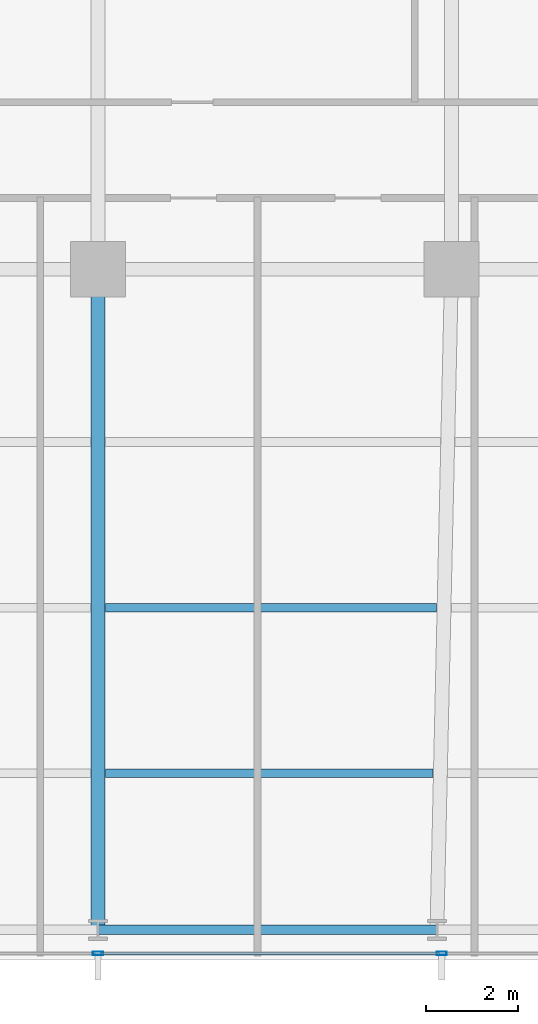
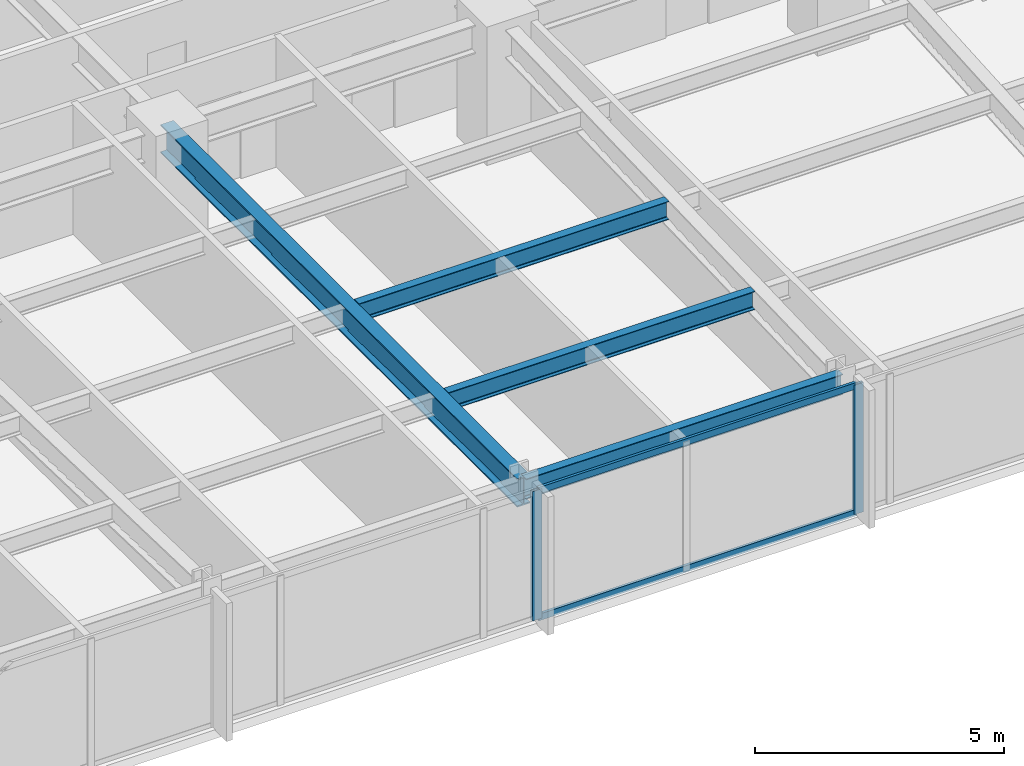
# One storey, part 11 of 32: 4 beams, 4 members, 1 element without a shape of its own.
"""IFC4 building model written with IfcOpenShell, lengths in metres."""

from ifc_helpers import new_model, si_unit, direction, frame, origin, origin_2d, place, context, subcontext, project, spatial, hollow_rectangle, i_section, extrude, material, material_profile, profile_set, type_object, element, aggregate, save


model = new_model("IFC4")

# Units and contexts
model_context = context("Model", 3, precision=1e-05, world=origin(), true_north=direction((0.0, 1.0)))
body_context = subcontext(model_context, "Body", "Model", "MODEL_VIEW")
ifc_project = project(units=[si_unit("LENGTHUNIT", "METRE"), si_unit("AREAUNIT", "SQUARE_METRE"), si_unit("VOLUMEUNIT", "CUBIC_METRE"), si_unit("PLANEANGLEUNIT", "RADIAN"), si_unit("MASSUNIT", "GRAM", prefix="KILO")], contexts=[model_context])

# Site, building, storey
site_placement = place(None, origin())
site = spatial("IfcSite", under=ifc_project, at=site_placement, CompositionType="ELEMENT")
building_placement = place(site_placement, origin())
building = spatial("IfcBuilding", under=site, at=building_placement, Name="Yelkora Congress Tower", CompositionType="ELEMENT")
storey_placement = place(building_placement, frame((0.0, 0.0, 57.60009765625)))
storey = spatial("IfcBuildingStorey", under=building, at=storey_placement, Name="L14", CompositionType="ELEMENT", Elevation=57.60009765625)

# Beams
ifc_material_1 = material(Name="Steel S355J2", Category="steel")
ifc_material_profile_1 = material_profile(ifc_material_1, i_section(OverallWidth=0.300048828125, OverallDepth=0.699951171875, WebThickness=0.01708984375, FlangeThickness=0.031982421875, FilletRadius=0.027099609375, at=origin_2d()), Name="HEB 700")
ifc_profile_set_1 = profile_set([ifc_material_profile_1], Name="Steel S355J2")
beam_type_1 = type_object("IfcBeamType", Name="BM-GIRD-HEB700", PredefinedType="BEAM", material=ifc_profile_set_1)
beam_1_placement = place(storey_placement, frame((38.39990234375, 10.85009765625, 2.829833984375), z_axis=(0.0, 1.0, 0.0), x_axis=(-1.0, 0.0, 0.0)))
element("IfcBeam", 1, at=beam_1_placement, inside=storey, type_object=beam_type_1, Name="L14 Primary Frame Girder S05", PredefinedType="BEAM", context=body_context, shape_type="SweptSolid", body=[
    extrude(i_section(OverallWidth=0.300048828125, OverallDepth=0.699951171875, WebThickness=0.01708984375, FlangeThickness=0.031982421875, FilletRadius=0.027099609375, at=origin_2d()), origin(), (0.0, 0.0, 1.0), 14.349853515625),
])
ifc_material_profile_2 = material_profile(ifc_material_1, i_section(OverallWidth=0.18994140625, OverallDepth=0.449951171875, WebThickness=0.009521484375, FlangeThickness=0.0146484375, FilletRadius=0.02099609375, at=origin_2d()), Name="IPE 450")
ifc_profile_set_2 = profile_set([ifc_material_profile_2], Name="Steel S355J2")
beam_type_2 = type_object("IfcBeamType", Name="BM-JOIST-IPE450", PredefinedType="JOIST", material=ifc_profile_set_2)
beam_2_placement = place(storey_placement, frame((38.56005859375, 14.25, 2.954833984375), z_axis=(1.0, 0.0, 0.0), x_axis=(0.0, 1.0, 0.0)))
element("IfcBeam", 2, at=beam_2_placement, inside=storey, type_object=beam_type_2, Name="L14 Composite Floor Joist 5", PredefinedType="JOIST", context=body_context, shape_type="SweptSolid", body=[
    extrude(i_section(OverallWidth=0.18994140625, OverallDepth=0.449951171875, WebThickness=0.009521484375, FlangeThickness=0.0146484375, FilletRadius=0.02099609375, at=origin_2d()), origin(), (0.0, 0.0, 1.0), 7.11767578125),
])
beam_3_placement = place(storey_placement, frame((38.56005859375, 17.85009765625, 2.954833984375), z_axis=(1.0, 0.0, 0.0), x_axis=(0.0, 1.0, 0.0)))
element("IfcBeam", 3, at=beam_3_placement, inside=storey, type_object=beam_type_2, Name="L14 Composite Floor Joist 13", PredefinedType="JOIST", context=body_context, shape_type="SweptSolid", body=[
    extrude(i_section(OverallWidth=0.18994140625, OverallDepth=0.449951171875, WebThickness=0.009521484375, FlangeThickness=0.0146484375, FilletRadius=0.02099609375, at=origin_2d()), origin(), (0.0, 0.0, 1.0), 7.197265625),
])
ifc_material_profile_3 = material_profile(ifc_material_1, i_section(OverallWidth=0.199951171875, OverallDepth=0.5, WebThickness=0.01025390625, FlangeThickness=0.01611328125, FilletRadius=0.02099609375, at=origin_2d()), Name="IPE 500")
ifc_profile_set_3 = profile_set([ifc_material_profile_3], Name="Steel S355J2")
beam_type_3 = type_object("IfcBeamType", Name="BM-SPAN-IPE500", PredefinedType="SPANDREL", material=ifc_profile_set_3)
beam_4_placement = place(storey_placement, frame((38.39990234375, 10.85009765625, 2.929931640625), z_axis=(1.0, 0.0, 0.0), x_axis=(0.0, 1.0, 0.0)))
element("IfcBeam", 4, at=beam_4_placement, inside=storey, type_object=beam_type_3, Name="L14 Perimeter Beam 6", PredefinedType="SPANDREL", context=body_context, shape_type="SweptSolid", body=[
    extrude(i_section(OverallWidth=0.199951171875, OverallDepth=0.5, WebThickness=0.01025390625, FlangeThickness=0.01611328125, FilletRadius=0.02099609375, at=origin_2d()), origin(), (0.0, 0.0, 1.0), 7.362548828125),
])

# Curtain wall, members
ifc_material_2 = material(Name="Anodised aluminium and insulated glass", Category="aluminium")
curtain_wall_type = type_object("IfcCurtainWallType", Name="CW-SYS-B1", PredefinedType="NOTDEFINED", material=ifc_material_2)
curtain_wall_placement = place(storey_placement, origin())
curtain_wall = element("IfcCurtainWall", 5, at=curtain_wall_placement, inside=storey, type_object=curtain_wall_type, Name="L14 Unitised Curtain Wall 20", PredefinedType="NOTDEFINED")
ifc_material_3 = material(Name="Anodised aluminium 6063-T6", Category="aluminium")
ifc_material_profile_4 = material_profile(ifc_material_3, hollow_rectangle(XDim=0.074951171875, YDim=0.219970703125, WallThickness=0.0048828125, at=origin_2d()), Name="ALU 75x220x5")
ifc_profile_set_4 = profile_set([ifc_material_profile_4], Name="Anodised aluminium 6063-T6")
member_type_1 = type_object("IfcMemberType", Name="MEM-ML-B1", PredefinedType="MULLION", material=ifc_profile_set_4)
member_1_placement = place(storey_placement, frame((45.864990234375, 10.340087890625, 0.0), z_axis=(0.0, 0.0, 1.0), x_axis=(0.0, -1.0, 0.0)))
member_1 = element("IfcMember", 6, at=member_1_placement, type_object=member_type_1, Name="CW-B1 mullion 4", PredefinedType="MULLION", context=body_context, shape_type="SweptSolid", body=[
    extrude(hollow_rectangle(XDim=0.074951171875, YDim=0.219970703125, WallThickness=0.0048828125, at=origin_2d()), origin(), (0.0, 0.0, 1.0), 3.179931640625),
])
member_2_placement = place(storey_placement, frame((38.39990234375, 10.340087890625, 0.0), z_axis=(0.0, 0.0, 1.0), x_axis=(0.0, -1.0, 0.0)))
member_2 = element("IfcMember", 7, at=member_2_placement, type_object=member_type_1, Name="CW-B1 mullion 5", PredefinedType="MULLION", context=body_context, shape_type="SweptSolid", body=[
    extrude(hollow_rectangle(XDim=0.074951171875, YDim=0.219970703125, WallThickness=0.0048828125, at=origin_2d()), origin(), (0.0, 0.0, 1.0), 3.179931640625),
])
ifc_material_profile_5 = material_profile(ifc_material_3, hollow_rectangle(XDim=0.06494140625, YDim=0.159912109375, WallThickness=0.00390625, at=origin_2d()), Name="ALU 65x160x4")
ifc_profile_set_5 = profile_set([ifc_material_profile_5], Name="Anodised aluminium 6063-T6")
member_type_2 = type_object("IfcMemberType", Name="MEM-TR-B1", PredefinedType="USERDEFINED", material=ifc_profile_set_5)
member_3_placement = place(storey_placement, frame((45.827392578125, 10.340087890625, 0.032470703125), z_axis=(-1.0, 0.0, 0.0), x_axis=(0.0, -1.0, 0.0)))
member_3 = element("IfcMember", 8, at=member_3_placement, type_object=member_type_2, Name="CW-B1 transom 4.1", ObjectType="TRANSOM", PredefinedType="USERDEFINED", context=body_context, shape_type="SweptSolid", body=[
    extrude(hollow_rectangle(XDim=0.06494140625, YDim=0.159912109375, WallThickness=0.00390625, at=origin_2d()), origin(), (0.0, 0.0, 1.0), 7.389892578125),
])
member_4_placement = place(storey_placement, frame((45.827392578125, 10.340087890625, 3.1474609375), z_axis=(-1.0, 0.0, 0.0), x_axis=(0.0, -1.0, 0.0)))
member_4 = element("IfcMember", 9, at=member_4_placement, type_object=member_type_2, Name="CW-B1 transom 4.2", ObjectType="TRANSOM", PredefinedType="USERDEFINED", context=body_context, shape_type="SweptSolid", body=[
    extrude(hollow_rectangle(XDim=0.06494140625, YDim=0.159912109375, WallThickness=0.00390625, at=origin_2d()), origin(), (0.0, 0.0, 1.0), 7.389892578125),
])
aggregate(curtain_wall, [member_1, member_2, member_3, member_4])

save(model, "model.ifc")
